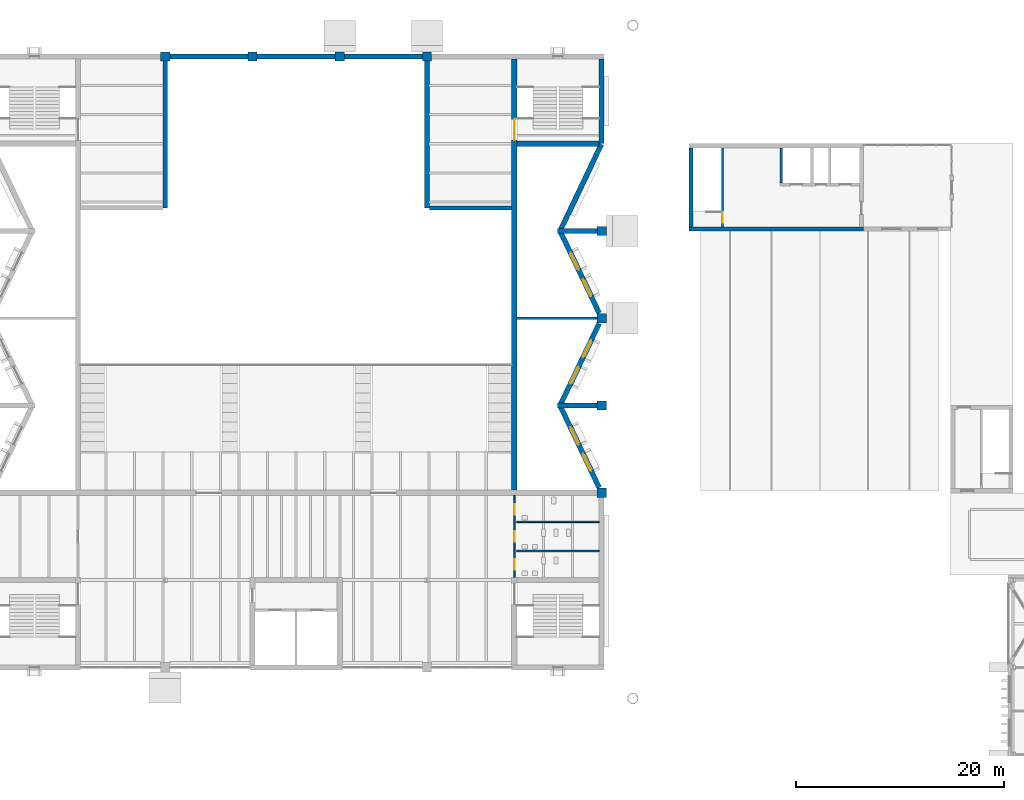
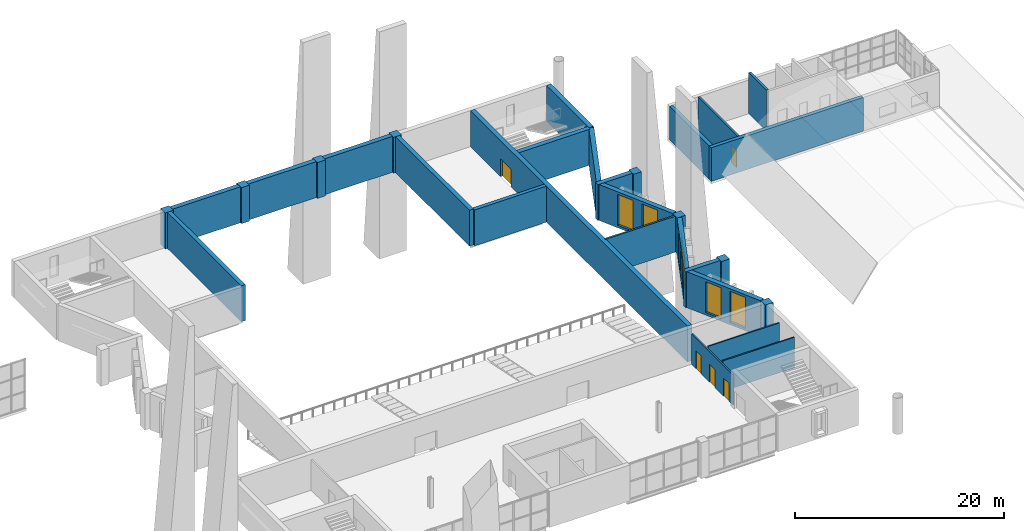
# One storey, part 71 of 100: 31 walls, 6 windows, 5 doors, 11 openings.
"""IFC4 building model written with IfcOpenShell, lengths in metres."""

from ifc_helpers import new_model, si_unit, direction, frame, frame_2d, origin, place, context, subcontext, project, spatial, rectangle, extrude, material, layer, layer_set, type_object, element, fill, save


model = new_model("IFC4")

# Units and contexts
model_context = context("Model", 3, precision=1e-05, world=origin(), true_north=direction((0.0, 1.0)))
body_context = subcontext(model_context, "Body", "Model", "MODEL_VIEW")
ifc_project = project(units=[si_unit("LENGTHUNIT", "METRE"), si_unit("AREAUNIT", "SQUARE_METRE"), si_unit("VOLUMEUNIT", "CUBIC_METRE"), si_unit("PLANEANGLEUNIT", "RADIAN"), si_unit("MASSUNIT", "GRAM", prefix="KILO")], contexts=[model_context])

# Site, building, storey
site_placement = place(None, origin())
site = spatial("IfcSite", under=ifc_project, at=site_placement, CompositionType="ELEMENT")
building_placement = place(site_placement, origin())
building = spatial("IfcBuilding", under=site, at=building_placement, Name="Cresset Court Congress Hotel", CompositionType="ELEMENT")
storey_placement = place(building_placement, frame((0.0, 0.0, 10.199951171875)))
storey = spatial("IfcBuildingStorey", under=building, at=storey_placement, Name="L02", CompositionType="ELEMENT", Elevation=10.199951171875)

# Walls
ifc_material_1 = material(Name="Concrete C50", Category="concrete")
ifc_layer_1 = layer(ifc_material_1, 0.449951171875)
ifc_layer_set_1 = layer_set([ifc_layer_1], Name="Fly-tower wall 450")
wall_type_1 = type_object("IfcWallType", Name="Fly-tower wall 450", PredefinedType="SOLIDWALL", material=ifc_layer_set_1)
for number, where, z_axis, x_axis, name in (
    (1, (75.60009765625, 103.0, 0.0), (0.0, 0.0, 1.0), (0.0, 1.0, 0.0), "Wall CS-1L02"),
    (2, (100.800048828125, 103.0, 0.0), (0.0, 0.0, 1.0), (0.0, 1.0, 0.0), "Wall CS-2L02"),
):
    element("IfcWall", number, at=place(storey_placement, frame(where, z_axis=z_axis, x_axis=x_axis)), inside=storey, type_object=wall_type_1, Name=name, PredefinedType="SOLIDWALL", context=body_context, shape_type="SweptSolid", body=[
        extrude(rectangle(XDim=14.14990234375, YDim=0.449951171875, at=frame_2d((7.074951171875, 0.0))), origin(), (0.0, 0.0, 1.0), 4.199951171875),
    ])
ifc_material_2 = material(Name="Concrete C35", Category="concrete")
ifc_layer_2 = layer(ifc_material_2, 0.199951171875)
ifc_layer_set_2 = layer_set([ifc_layer_2], Name="Gallery cross wall 200")
wall_type_2 = type_object("IfcWallType", Name="Gallery cross wall 200", PredefinedType="PARTITIONING", material=ifc_layer_set_2)
wall_1_placement = place(storey_placement, frame((109.39990234375, 92.39990234375, 0.0), z_axis=(0.0, 0.0, 1.0), x_axis=(1.0, 0.0, 0.0)))
element("IfcWall", 3, at=wall_1_placement, inside=storey, type_object=wall_type_2, Name="Wall CP-galEL02", PredefinedType="PARTITIONING", context=body_context, shape_type="SweptSolid", body=[
    extrude(rectangle(XDim=7.75, YDim=0.199951171875, at=frame_2d((3.875, 0.0))), origin(), (0.0, 0.0, 1.0), 4.199951171875),
])

# Wall, opening, door
ifc_material_3 = material(Name="Concrete C50", Category="concrete")
ifc_layer_3 = layer(ifc_material_3, 0.5)
ifc_layer_set_3 = layer_set([ifc_layer_3], Name="Hall inner wall 500")
wall_type_3 = type_object("IfcWallType", Name="Hall inner wall 500", PredefinedType="SOLIDWALL", material=ifc_layer_set_3)
wall_2_placement = place(storey_placement, frame((109.199951171875, 117.35009765625, 0.0), z_axis=(0.0, 0.0, 1.0), x_axis=(0.0, -1.0, 0.0)))
wall_2 = element("IfcWall", 4, at=wall_2_placement, inside=storey, type_object=wall_type_3, Name="Wall CI-EL02", PredefinedType="SOLIDWALL", context=body_context, shape_type="SweptSolid", body=[
    extrude(rectangle(XDim=41.5, YDim=0.5, at=frame_2d((20.75, 0.0))), origin(), (0.0, 0.0, 1.0), 4.199951171875),
])
opening_1_placement = place(wall_2_placement, frame((5.800048828125, 0.0, 0.0)))
opening_1 = element("IfcOpeningElement", 5, at=opening_1_placement, cuts=wall_2, Name="Opening DC-02-04", PredefinedType="OPENING", context=body_context, shape_type="SweptSolid", body=[
    extrude(rectangle(XDim=2.0, YDim=2.10009765625, at=frame_2d((1.0, 1.050048828125))), frame((0.0, 0.260009765625, 0.0), z_axis=(0.0, -1.0, 0.0), x_axis=(1.0, 0.0, 0.0)), (0.0, 0.0, 1.0), 0.52001953125),
])
ifc_material_4 = material(Name="Timber", Category="wood")
door_type_1 = type_object("IfcDoorType", Name="Double swing door 2000x2100 FD60", OperationType="DOUBLE_DOOR_DOUBLE_SWING", PredefinedType="DOOR", material=ifc_material_4)
door_1_placement = place(opening_1_placement, origin())
door_1 = element("IfcDoor", 6, at=door_1_placement, inside=storey, type_object=door_type_1, Name="Stair door ST-C4 L02", OperationType="DOUBLE_DOOR_DOUBLE_SWING", OverallHeight=2.10009765625, OverallWidth=2.0, PredefinedType="DOOR", context=body_context, shape_type="SweptSolid", body=[
    extrude(rectangle(XDim=2.0, YDim=2.10009765625, at=frame_2d((1.0, 1.050048828125))), frame((0.0, 0.02490234375, 0.0), z_axis=(0.0, -1.0, 0.0), x_axis=(1.0, 0.0, 0.0)), (0.0, 0.0, 1.0), 0.050048828125),
])
fill(opening_1, door_1)

# Wall
wall_3_placement = place(storey_placement, frame((109.449951171875, 109.199951171875, 0.0), z_axis=(0.0, 0.0, 1.0), x_axis=(1.0, 0.0, 0.0)))
element("IfcWall", 7, at=wall_3_placement, inside=storey, type_object=wall_type_3, Name="Wall CC-C4SL02", PredefinedType="SOLIDWALL", context=body_context, shape_type="SweptSolid", body=[
    extrude(rectangle(XDim=7.900146484375, YDim=0.5, at=frame_2d((3.9501953125, 0.0))), origin(), (0.0, 0.0, 1.0), 4.199951171875),
])

# Wall, openings, windows
ifc_material_5 = material(Name="Limestone-faced precast concrete C50", Category="masonry")
ifc_layer_4 = layer(ifc_material_5, 0.5)
ifc_layer_set_4 = layer_set([ifc_layer_4], Name="Hall perimeter wall 500")
wall_type_4 = type_object("IfcWallType", Name="Hall perimeter wall 500", PredefinedType="SOLIDWALL", material=ifc_layer_set_4)
wall_4_placement = place(storey_placement, frame((113.66552734375, 83.862548828125, 0.0), z_axis=(0.0, 0.0, 1.0), x_axis=(0.429922557701, -0.902865767642, 0.0)))
wall_4 = element("IfcWall", 8, at=wall_4_placement, inside=storey, type_object=wall_type_4, Name="Wall CW-EL02-2", PredefinedType="SOLIDWALL", context=body_context, shape_type="SweptSolid", body=[
    extrude(rectangle(XDim=8.59765625, YDim=0.5, at=frame_2d((4.298828125, 0.0))), origin(), (0.0, 0.0, 1.0), 4.199951171875),
])
opening_2_placement = place(wall_4_placement, frame((5.01171875, 0.0, 0.300048828125)))
opening_2 = element("IfcOpeningElement", 9, at=opening_2_placement, cuts=wall_4, Name="Opening NC-02-E0197", PredefinedType="OPENING", context=body_context, shape_type="SweptSolid", body=[
    extrude(rectangle(XDim=1.800048828125, YDim=3.60009765625, at=frame_2d((0.89990234375, 1.800048828125))), frame((0.0, 0.260009765625, 0.0), z_axis=(0.0, -1.0, 0.0), x_axis=(1.0, 0.0, 0.0)), (0.0, 0.0, 1.0), 0.52001953125),
])
opening_3_placement = place(wall_4_placement, frame((2.1875, 0.0, 0.300048828125)))
opening_3 = element("IfcOpeningElement", 10, at=opening_3_placement, cuts=wall_4, Name="Opening NC-02-E0222", PredefinedType="OPENING", context=body_context, shape_type="SweptSolid", body=[
    extrude(rectangle(XDim=1.800048828125, YDim=3.60009765625, at=frame_2d((0.89990234375, 1.800048828125))), frame((0.0, 0.260009765625, 0.0), z_axis=(0.0, -1.0, 0.0), x_axis=(1.0, 0.0, 0.0)), (0.0, 0.0, 1.0), 0.52001953125),
])
ifc_material_6 = material(Name="Aluminium and glass", Category="aluminium")
window_type = type_object("IfcWindowType", Name="Fixed window 1800x3600", PartitioningType="SINGLE_PANEL", PredefinedType="WINDOW", material=ifc_material_6)
window_1_placement = place(opening_2_placement, origin())
window_1 = element("IfcWindow", 11, at=window_1_placement, inside=storey, type_object=window_type, Name="Window NC-02-E0197", OverallHeight=3.60009765625, OverallWidth=1.800048828125, PartitioningType="SINGLE_PANEL", PredefinedType="WINDOW", context=body_context, shape_type="SweptSolid", body=[
    extrude(rectangle(XDim=1.800048828125, YDim=3.60009765625, at=frame_2d((0.89990234375, 1.800048828125))), frame((0.0, 0.030029296875, 0.0), z_axis=(0.0, -1.0, 0.0), x_axis=(1.0, 0.0, 0.0)), (0.0, 0.0, 1.0), 0.06005859375),
])
fill(opening_2, window_1)
window_2_placement = place(opening_3_placement, origin())
window_2 = element("IfcWindow", 12, at=window_2_placement, inside=storey, type_object=window_type, Name="Window NC-02-E0222", OverallHeight=3.60009765625, OverallWidth=1.800048828125, PartitioningType="SINGLE_PANEL", PredefinedType="WINDOW", context=body_context, shape_type="SweptSolid", body=[
    extrude(rectangle(XDim=1.800048828125, YDim=3.60009765625, at=frame_2d((0.89990234375, 1.800048828125))), frame((0.0, 0.030029296875, 0.0), z_axis=(0.0, -1.0, 0.0), x_axis=(1.0, 0.0, 0.0)), (0.0, 0.0, 1.0), 0.06005859375),
])
fill(opening_3, window_2)

wall_5_placement = place(storey_placement, frame((117.36181640625, 91.89990234375, 0.0), z_axis=(0.0, 0.0, 1.0), x_axis=(-0.429922557701, -0.902865767642, 0.0)))
wall_5 = element("IfcWall", 13, at=wall_5_placement, inside=storey, type_object=wall_type_4, Name="Wall CW-EL02-3", PredefinedType="SOLIDWALL", context=body_context, shape_type="SweptSolid", body=[
    extrude(rectangle(XDim=8.59765625, YDim=0.5, at=frame_2d((4.298828125, 0.0))), origin(), (0.0, 0.0, 1.0), 4.199951171875),
])
opening_4_placement = place(wall_5_placement, frame((4.6103515625, 0.0, 0.300048828125)))
opening_4 = element("IfcOpeningElement", 14, at=opening_4_placement, cuts=wall_5, Name="Opening NC-02-E0281", PredefinedType="OPENING", context=body_context, shape_type="SweptSolid", body=[
    extrude(rectangle(XDim=1.800048828125, YDim=3.60009765625, at=frame_2d((0.89990234375, 1.800048828125))), frame((0.0, 0.260009765625, 0.0), z_axis=(0.0, -1.0, 0.0), x_axis=(1.0, 0.0, 0.0)), (0.0, 0.0, 1.0), 0.52001953125),
])
opening_5_placement = place(wall_5_placement, frame((1.785888671875, 0.0, 0.300048828125)))
opening_5 = element("IfcOpeningElement", 15, at=opening_5_placement, cuts=wall_5, Name="Opening NC-02-E0306", PredefinedType="OPENING", context=body_context, shape_type="SweptSolid", body=[
    extrude(rectangle(XDim=1.800048828125, YDim=3.60009765625, at=frame_2d((0.89990234375, 1.800048828125))), frame((0.0, 0.260009765625, 0.0), z_axis=(0.0, -1.0, 0.0), x_axis=(1.0, 0.0, 0.0)), (0.0, 0.0, 1.0), 0.52001953125),
])
window_3_placement = place(opening_4_placement, origin())
window_3 = element("IfcWindow", 16, at=window_3_placement, inside=storey, type_object=window_type, Name="Window NC-02-E0281", OverallHeight=3.60009765625, OverallWidth=1.800048828125, PartitioningType="SINGLE_PANEL", PredefinedType="WINDOW", context=body_context, shape_type="SweptSolid", body=[
    extrude(rectangle(XDim=1.800048828125, YDim=3.60009765625, at=frame_2d((0.89990234375, 1.800048828125))), frame((0.0, 0.030029296875, 0.0), z_axis=(0.0, -1.0, 0.0), x_axis=(1.0, 0.0, 0.0)), (0.0, 0.0, 1.0), 0.06005859375),
])
fill(opening_4, window_3)
window_4_placement = place(opening_5_placement, origin())
window_4 = element("IfcWindow", 17, at=window_4_placement, inside=storey, type_object=window_type, Name="Window NC-02-E0306", OverallHeight=3.60009765625, OverallWidth=1.800048828125, PartitioningType="SINGLE_PANEL", PredefinedType="WINDOW", context=body_context, shape_type="SweptSolid", body=[
    extrude(rectangle(XDim=1.800048828125, YDim=3.60009765625, at=frame_2d((0.89990234375, 1.800048828125))), frame((0.0, 0.030029296875, 0.0), z_axis=(0.0, -1.0, 0.0), x_axis=(1.0, 0.0, 0.0)), (0.0, 0.0, 1.0), 0.06005859375),
])
fill(opening_5, window_4)

wall_6_placement = place(storey_placement, frame((113.66552734375, 100.66259765625, 0.0), z_axis=(0.0, 0.0, 1.0), x_axis=(0.429911535511, -0.902871016057, 0.0)))
wall_6 = element("IfcWall", 18, at=wall_6_placement, inside=storey, type_object=wall_type_4, Name="Wall CW-EL02-4", PredefinedType="SOLIDWALL", context=body_context, shape_type="SweptSolid", body=[
    extrude(rectangle(XDim=8.597900390625, YDim=0.5, at=frame_2d((4.298828125, 0.0))), origin(), (0.0, 0.0, 1.0), 4.199951171875),
])
opening_6_placement = place(wall_6_placement, frame((5.01171875, 0.0, 0.300048828125)))
opening_6 = element("IfcOpeningElement", 19, at=opening_6_placement, cuts=wall_6, Name="Opening NC-02-E0365", PredefinedType="OPENING", context=body_context, shape_type="SweptSolid", body=[
    extrude(rectangle(XDim=1.800048828125, YDim=3.60009765625, at=frame_2d((0.89990234375, 1.800048828125))), frame((0.0, 0.260009765625, 0.0), z_axis=(0.0, -1.0, 0.0), x_axis=(1.0, 0.0, 0.0)), (0.0, 0.0, 1.0), 0.52001953125),
])
opening_7_placement = place(wall_6_placement, frame((2.1875, 0.0, 0.300048828125)))
opening_7 = element("IfcOpeningElement", 20, at=opening_7_placement, cuts=wall_6, Name="Opening NC-02-E0390", PredefinedType="OPENING", context=body_context, shape_type="SweptSolid", body=[
    extrude(rectangle(XDim=1.800048828125, YDim=3.60009765625, at=frame_2d((0.89990234375, 1.800048828125))), frame((0.0, 0.260009765625, 0.0), z_axis=(0.0, -1.0, 0.0), x_axis=(1.0, 0.0, 0.0)), (0.0, 0.0, 1.0), 0.52001953125),
])
window_5_placement = place(opening_6_placement, origin())
window_5 = element("IfcWindow", 21, at=window_5_placement, inside=storey, type_object=window_type, Name="Window NC-02-E0365", OverallHeight=3.60009765625, OverallWidth=1.800048828125, PartitioningType="SINGLE_PANEL", PredefinedType="WINDOW", context=body_context, shape_type="SweptSolid", body=[
    extrude(rectangle(XDim=1.800048828125, YDim=3.60009765625, at=frame_2d((0.89990234375, 1.800048828125))), frame((0.0, 0.030029296875, 0.0), z_axis=(0.0, -1.0, 0.0), x_axis=(1.0, 0.0, 0.0)), (0.0, 0.0, 1.0), 0.06005859375),
])
fill(opening_6, window_5)
window_6_placement = place(opening_7_placement, origin())
window_6 = element("IfcWindow", 22, at=window_6_placement, inside=storey, type_object=window_type, Name="Window NC-02-E0390", OverallHeight=3.60009765625, OverallWidth=1.800048828125, PartitioningType="SINGLE_PANEL", PredefinedType="WINDOW", context=body_context, shape_type="SweptSolid", body=[
    extrude(rectangle(XDim=1.800048828125, YDim=3.60009765625, at=frame_2d((0.89990234375, 1.800048828125))), frame((0.0, 0.030029296875, 0.0), z_axis=(0.0, -1.0, 0.0), x_axis=(1.0, 0.0, 0.0)), (0.0, 0.0, 1.0), 0.06005859375),
])
fill(opening_7, window_6)

# Walls
wall_7_placement = place(storey_placement, frame((117.576171875, 109.14990234375, 0.0), z_axis=(0.0, 0.0, 1.0), x_axis=(-0.429931496654, -0.902861511077, 0.0)))
element("IfcWall", 23, at=wall_7_placement, inside=storey, type_object=wall_type_4, Name="Wall CW-EL02-5.1", PredefinedType="SOLIDWALL", context=body_context, shape_type="SweptSolid", body=[
    extrude(rectangle(XDim=9.095947265625, YDim=0.5, at=frame_2d((4.5478515625, 0.0))), origin(), (0.0, 0.0, 1.0), 4.199951171875),
])
wall_8_placement = place(storey_placement, frame((117.60009765625, 117.35009765625, 0.0), z_axis=(0.0, 0.0, 1.0), x_axis=(0.0, -1.0, 0.0)))
element("IfcWall", 24, at=wall_8_placement, inside=storey, type_object=wall_type_4, Name="Wall CW-EL02-5.2", PredefinedType="SOLIDWALL", context=body_context, shape_type="SweptSolid", body=[
    extrude(rectangle(XDim=8.150146484375, YDim=0.5, at=frame_2d((4.0751953125, 0.0))), origin(), (0.0, 0.0, 1.0), 4.199951171875),
])
for number, where, z_axis, x_axis, name in (
    (25, (113.35009765625, 84.0, 0.0), (0.0, 0.0, 1.0), (1.0, 0.0, 0.0), "Wall CW-EL02-R1"),
    (26, (113.35009765625, 100.800048828125, 0.0), (0.0, 0.0, 1.0), (1.0, 0.0, 0.0), "Wall CW-EL02-R2"),
):
    element("IfcWall", number, at=place(storey_placement, frame(where, z_axis=z_axis, x_axis=x_axis)), inside=storey, type_object=wall_type_4, Name=name, PredefinedType="SOLIDWALL", context=body_context, shape_type="SweptSolid", body=[
        extrude(rectangle(XDim=3.7998046875, YDim=0.5, at=frame_2d((1.89990234375, 0.0))), origin(), (0.0, 0.0, 1.0), 4.199951171875),
    ])
for number, where, z_axis, x_axis, name in (
    (27, (92.85009765625, 117.60009765625, 0.0), (0.0, 0.0, 1.0), (1.0, 0.0, 0.0), "Wall CW-NL02-2"),
    (28, (84.449951171875, 117.60009765625, 0.0), (0.0, 0.0, 1.0), (1.0, 0.0, 0.0), "Wall CW-NL02-3"),
    (29, (76.050048828125, 117.60009765625, 0.0), (0.0, 0.0, 1.0), (1.0, 0.0, 0.0), "Wall CW-NL02-4"),
):
    element("IfcWall", number, at=place(storey_placement, frame(where, z_axis=z_axis, x_axis=x_axis)), inside=storey, type_object=wall_type_4, Name=name, PredefinedType="SOLIDWALL", context=body_context, shape_type="SweptSolid", body=[
        extrude(rectangle(XDim=7.5, YDim=0.5, at=frame_2d((3.75, 0.0))), origin(), (0.0, 0.0, 1.0), 4.199951171875),
    ])
ifc_material_7 = material(Name="Concrete C50", Category="concrete")
ifc_layer_5 = layer(ifc_material_7, 0.89990234375)
ifc_layer_set_5 = layer_set([ifc_layer_5], Name="Hall pilaster 900x900")
wall_type_5 = type_object("IfcWallType", Name="Hall pilaster 900x900", PredefinedType="SOLIDWALL", material=ifc_layer_set_5)
wall_9_placement = place(storey_placement, frame((117.60009765625, 75.14990234375, 0.0), z_axis=(0.0, 0.0, 1.0), x_axis=(0.0, 1.0, 0.0)))
element("IfcWall", 30, at=wall_9_placement, inside=storey, type_object=wall_type_5, Name="Pilaster P-E1", PredefinedType="SOLIDWALL", context=body_context, shape_type="SweptSolid", body=[
    extrude(rectangle(XDim=0.900146484375, YDim=0.89990234375, at=frame_2d((0.4501953125, 0.0))), origin(), (0.0, 0.0, 1.0), 4.199951171875),
])
wall_10_placement = place(storey_placement, frame((117.60009765625, 83.550048828125, 0.0), z_axis=(0.0, 0.0, 1.0), x_axis=(0.0, 1.0, 0.0)))
element("IfcWall", 31, at=wall_10_placement, inside=storey, type_object=wall_type_5, Name="Pilaster P-E2", PredefinedType="SOLIDWALL", context=body_context, shape_type="SweptSolid", body=[
    extrude(rectangle(XDim=0.89990234375, YDim=0.89990234375, at=frame_2d((0.449951171875, 0.0))), origin(), (0.0, 0.0, 1.0), 4.199951171875),
])
wall_11_placement = place(storey_placement, frame((117.60009765625, 91.949951171875, 0.0), z_axis=(0.0, 0.0, 1.0), x_axis=(0.0, 1.0, 0.0)))
element("IfcWall", 32, at=wall_11_placement, inside=storey, type_object=wall_type_5, Name="Pilaster P-E3", PredefinedType="SOLIDWALL", context=body_context, shape_type="SweptSolid", body=[
    extrude(rectangle(XDim=0.900146484375, YDim=0.89990234375, at=frame_2d((0.4501953125, 0.0))), origin(), (0.0, 0.0, 1.0), 4.199951171875),
])
for number, where, z_axis, x_axis, name in (
    (33, (117.60009765625, 100.35009765625, 0.0), (0.0, 0.0, 1.0), (0.0, 1.0, 0.0), "Pilaster P-E4"),
    (34, (101.25, 117.60009765625, 0.0), (0.0, 0.0, 1.0), (-1.0, 0.0, 0.0), "Pilaster P-N1"),
):
    element("IfcWall", number, at=place(storey_placement, frame(where, z_axis=z_axis, x_axis=x_axis)), inside=storey, type_object=wall_type_5, Name=name, PredefinedType="SOLIDWALL", context=body_context, shape_type="SweptSolid", body=[
        extrude(rectangle(XDim=0.89990234375, YDim=0.89990234375, at=frame_2d((0.449951171875, 0.0))), origin(), (0.0, 0.0, 1.0), 4.199951171875),
    ])
wall_12_placement = place(storey_placement, frame((92.85009765625, 117.60009765625, 0.0), z_axis=(0.0, 0.0, 1.0), x_axis=(-1.0, 0.0, 0.0)))
element("IfcWall", 35, at=wall_12_placement, inside=storey, type_object=wall_type_5, Name="Pilaster P-N2", PredefinedType="SOLIDWALL", context=body_context, shape_type="SweptSolid", body=[
    extrude(rectangle(XDim=0.900146484375, YDim=0.89990234375, at=frame_2d((0.4501953125, 0.0))), origin(), (0.0, 0.0, 1.0), 4.199951171875),
])
wall_13_placement = place(storey_placement, frame((84.449951171875, 117.60009765625, 0.0), z_axis=(0.0, 0.0, 1.0), x_axis=(-1.0, 0.0, 0.0)))
element("IfcWall", 36, at=wall_13_placement, inside=storey, type_object=wall_type_5, Name="Pilaster P-N3", PredefinedType="SOLIDWALL", context=body_context, shape_type="SweptSolid", body=[
    extrude(rectangle(XDim=0.89990234375, YDim=0.89990234375, at=frame_2d((0.449951171875, 0.0))), origin(), (0.0, 0.0, 1.0), 4.199951171875),
])
wall_14_placement = place(storey_placement, frame((76.050048828125, 117.60009765625, 0.0), z_axis=(0.0, 0.0, 1.0), x_axis=(-1.0, 0.0, 0.0)))
element("IfcWall", 37, at=wall_14_placement, inside=storey, type_object=wall_type_5, Name="Pilaster P-N4", PredefinedType="SOLIDWALL", context=body_context, shape_type="SweptSolid", body=[
    extrude(rectangle(XDim=0.900146484375, YDim=0.89990234375, at=frame_2d((0.4501953125, 0.0))), origin(), (0.0, 0.0, 1.0), 4.199951171875),
])

# Wall, openings, doors
ifc_material_8 = material(Name="Gypsum board on steel studs", Category="steel")
ifc_layer_6 = layer(ifc_material_8, 0.14990234375)
ifc_layer_set_6 = layer_set([ifc_layer_6], Name="Hall room partition 150")
wall_type_6 = type_object("IfcWallType", Name="Hall room partition 150", PredefinedType="PARTITIONING", material=ifc_layer_set_6)
wall_15_placement = place(storey_placement, frame((109.199951171875, 67.449951171875, 0.0), z_axis=(0.0, 0.0, 1.0), x_axis=(0.0, 1.0, 0.0)))
wall_15 = element("IfcWall", 38, at=wall_15_placement, inside=storey, type_object=wall_type_6, Name="Wall CP-wc.L02", PredefinedType="PARTITIONING", context=body_context, shape_type="SweptSolid", body=[
    extrude(rectangle(XDim=7.900146484375, YDim=0.14990234375, at=frame_2d((3.9501953125, 0.0))), origin(), (0.0, 0.0, 1.0), 3.550048828125),
])
opening_8_placement = place(wall_15_placement, frame((0.75, 0.0, 0.0)))
opening_8 = element("IfcOpeningElement", 39, at=opening_8_placement, cuts=wall_15, Name="Opening DC-02-11", PredefinedType="OPENING", context=body_context, shape_type="SweptSolid", body=[
    extrude(rectangle(XDim=1.0, YDim=2.10009765625, at=frame_2d((0.5, 1.050048828125))), frame((0.0, 0.0849609375, 0.0), z_axis=(0.0, -1.0, 0.0), x_axis=(1.0, 0.0, 0.0)), (0.0, 0.0, 1.0), 0.169921875),
])
opening_9_placement = place(wall_15_placement, frame((3.449951171875, 0.0, 0.0)))
opening_9 = element("IfcOpeningElement", 40, at=opening_9_placement, cuts=wall_15, Name="Opening DC-02-12", PredefinedType="OPENING", context=body_context, shape_type="SweptSolid", body=[
    extrude(rectangle(XDim=1.0, YDim=2.10009765625, at=frame_2d((0.5, 1.050048828125))), frame((0.0, 0.0849609375, 0.0), z_axis=(0.0, -1.0, 0.0), x_axis=(1.0, 0.0, 0.0)), (0.0, 0.0, 1.0), 0.169921875),
])
opening_10_placement = place(wall_15_placement, frame((6.050048828125, 0.0, 0.0)))
opening_10 = element("IfcOpeningElement", 41, at=opening_10_placement, cuts=wall_15, Name="Opening DC-02-13", PredefinedType="OPENING", context=body_context, shape_type="SweptSolid", body=[
    extrude(rectangle(XDim=1.0, YDim=2.10009765625, at=frame_2d((0.5, 1.050048828125))), frame((0.0, 0.0849609375, 0.0), z_axis=(0.0, -1.0, 0.0), x_axis=(1.0, 0.0, 0.0)), (0.0, 0.0, 1.0), 0.169921875),
])
ifc_material_9 = material(Name="Timber", Category="wood")
door_type_2 = type_object("IfcDoorType", Name="Single swing door 1000x2100", OperationType="SINGLE_SWING_LEFT", PredefinedType="DOOR", material=ifc_material_9)
door_2_placement = place(opening_8_placement, origin())
door_2 = element("IfcDoor", 42, at=door_2_placement, inside=storey, type_object=door_type_2, Name="Men's WC door", OperationType="SINGLE_SWING_LEFT", OverallHeight=2.10009765625, OverallWidth=1.0, PredefinedType="DOOR", context=body_context, shape_type="SweptSolid", body=[
    extrude(rectangle(XDim=1.0, YDim=2.10009765625, at=frame_2d((0.5, 1.050048828125))), frame((0.0, 0.02490234375, 0.0), z_axis=(0.0, -1.0, 0.0), x_axis=(1.0, 0.0, 0.0)), (0.0, 0.0, 1.0), 0.050048828125),
])
fill(opening_8, door_2)
door_3_placement = place(opening_9_placement, origin())
door_3 = element("IfcDoor", 43, at=door_3_placement, inside=storey, type_object=door_type_2, Name="Women's WC door", OperationType="SINGLE_SWING_LEFT", OverallHeight=2.10009765625, OverallWidth=1.0, PredefinedType="DOOR", context=body_context, shape_type="SweptSolid", body=[
    extrude(rectangle(XDim=1.0, YDim=2.10009765625, at=frame_2d((0.5, 1.050048828125))), frame((0.0, 0.02490234375, 0.0), z_axis=(0.0, -1.0, 0.0), x_axis=(1.0, 0.0, 0.0)), (0.0, 0.0, 1.0), 0.050048828125),
])
fill(opening_9, door_3)
door_4_placement = place(opening_10_placement, origin())
door_4 = element("IfcDoor", 44, at=door_4_placement, inside=storey, type_object=door_type_2, Name="Accessible WC door", OperationType="SINGLE_SWING_LEFT", OverallHeight=2.10009765625, OverallWidth=1.0, PredefinedType="DOOR", context=body_context, shape_type="SweptSolid", body=[
    extrude(rectangle(XDim=1.0, YDim=2.10009765625, at=frame_2d((0.5, 1.050048828125))), frame((0.0, 0.02490234375, 0.0), z_axis=(0.0, -1.0, 0.0), x_axis=(1.0, 0.0, 0.0)), (0.0, 0.0, 1.0), 0.050048828125),
])
fill(opening_10, door_4)

# Walls
for number, where, z_axis, x_axis, name in (
    (45, (109.449951171875, 70.0, 0.0), (0.0, 0.0, 1.0), (1.0, 0.0, 0.0), "Wall CP-wc1.L02"),
    (46, (109.449951171875, 72.800048828125, 0.0), (0.0, 0.0, 1.0), (1.0, 0.0, 0.0), "Wall CP-wc2.L02"),
):
    element("IfcWall", number, at=place(storey_placement, frame(where, z_axis=z_axis, x_axis=x_axis)), inside=storey, type_object=wall_type_6, Name=name, PredefinedType="PARTITIONING", context=body_context, shape_type="SweptSolid", body=[
        extrude(rectangle(XDim=7.900146484375, YDim=0.14990234375, at=frame_2d((3.9501953125, 0.0))), origin(), (0.0, 0.0, 1.0), 3.550048828125),
    ])
ifc_material_10 = material(Name="Concrete C50", Category="concrete")
ifc_layer_7 = layer(ifc_material_10, 0.39990234375)
ifc_layer_set_7 = layer_set([ifc_layer_7], Name="Hall stage wall 400")
wall_type_7 = type_object("IfcWallType", Name="Hall stage wall 400", PredefinedType="SOLIDWALL", material=ifc_layer_set_7)
wall_16_placement = place(storey_placement, frame((101.02490234375, 103.0, 0.0), z_axis=(0.0, 0.0, 1.0), x_axis=(1.0, 0.0, 0.0)))
element("IfcWall", 47, at=wall_16_placement, inside=storey, type_object=wall_type_7, Name="Wall CW-2L02", PredefinedType="SOLIDWALL", context=body_context, shape_type="SweptSolid", body=[
    extrude(rectangle(XDim=7.925048828125, YDim=0.39990234375, at=frame_2d((3.96240234375, 0.0))), origin(), (0.0, 0.0, 1.0), 4.199951171875),
])
ifc_material_11 = material(Name="Concrete C50", Category="concrete")
ifc_layer_8 = layer(ifc_material_11, 0.39990234375)
ifc_layer_set_8 = layer_set([ifc_layer_8], Name="RC core wall 400 C50")
wall_type_8 = type_object("IfcWallType", Name="RC core wall 400 C50", PredefinedType="SOLIDWALL", material=ifc_layer_set_8)
wall_17_placement = place(storey_placement, frame((126.0, 101.0, 0.0), z_axis=(0.0, 0.0, 1.0), x_axis=(1.0, 0.0, 0.0)))
element("IfcWall", 48, at=wall_17_placement, inside=storey, type_object=wall_type_8, Name="Core south wall", PredefinedType="SOLIDWALL", context=body_context, shape_type="SweptSolid", body=[
    extrude(rectangle(XDim=16.800048828125, YDim=0.39990234375, at=frame_2d((8.39990234375, 0.0))), origin(), (0.0, 0.0, 1.0), 3.920166015625),
])
ifc_material_12 = material(Name="Concrete C50", Category="concrete")
ifc_layer_9 = layer(ifc_material_12, 0.39990234375)
ifc_layer_set_9 = layer_set([ifc_layer_9], Name="RC core wall 400 C50 external")
wall_type_9 = type_object("IfcWallType", Name="RC core wall 400 C50 external", PredefinedType="SOLIDWALL", material=ifc_layer_set_9)
wall_18_placement = place(storey_placement, frame((126.199951171875, 101.199951171875, 0.0), z_axis=(0.0, 0.0, 1.0), x_axis=(0.0, 1.0, 0.0)))
element("IfcWall", 49, at=wall_18_placement, inside=storey, type_object=wall_type_9, Name="Core west wall", PredefinedType="SOLIDWALL", context=body_context, shape_type="SweptSolid", body=[
    extrude(rectangle(XDim=7.60009765625, YDim=0.39990234375, at=frame_2d((3.800048828125, 0.0))), origin(), (0.0, 0.0, 1.0), 3.920166015625),
])
ifc_material_13 = material(Name="Concrete C50", Category="concrete")
ifc_layer_10 = layer(ifc_material_13, 0.25)
ifc_layer_set_10 = layer_set([ifc_layer_10], Name="RC lift shaft wall 250 C50")
wall_type_10 = type_object("IfcWallType", Name="RC lift shaft wall 250 C50", PredefinedType="SOLIDWALL", material=ifc_layer_set_10)
wall_19_placement = place(storey_placement, frame((134.875, 105.39990234375, 0.0), z_axis=(0.0, 0.0, 1.0), x_axis=(0.0, 1.0, 0.0)))
element("IfcWall", 50, at=wall_19_placement, inside=storey, type_object=wall_type_10, Name="Lift shaft west wall", PredefinedType="SOLIDWALL", context=body_context, shape_type="SweptSolid", body=[
    extrude(rectangle(XDim=3.400146484375, YDim=0.25, at=frame_2d((1.7001953125, 0.0))), origin(), (0.0, 0.0, 1.0), 4.800048828125),
])

# Wall, opening, door
ifc_material_14 = material(Name="Concrete C40", Category="concrete")
ifc_layer_11 = layer(ifc_material_14, 0.199951171875)
ifc_layer_set_11 = layer_set([ifc_layer_11], Name="RC stair enclosure wall 200 C40")
wall_type_11 = type_object("IfcWallType", Name="RC stair enclosure wall 200 C40", PredefinedType="SOLIDWALL", material=ifc_layer_set_11)
wall_20_placement = place(storey_placement, frame((129.25, 101.199951171875, 0.0), z_axis=(0.0, 0.0, 1.0), x_axis=(0.0, 1.0, 0.0)))
wall_20 = element("IfcWall", 51, at=wall_20_placement, inside=storey, type_object=wall_type_11, Name="ST-E1 stair enclosure wall", PredefinedType="SOLIDWALL", context=body_context, shape_type="SweptSolid", body=[
    extrude(rectangle(XDim=7.60009765625, YDim=0.199951171875, at=frame_2d((3.800048828125, 0.0))), origin(), (0.0, 0.0, 1.0), 3.920166015625),
])
opening_11_placement = place(wall_20_placement, frame((0.39990234375, 0.0, 0.0)))
opening_11 = element("IfcOpeningElement", 52, at=opening_11_placement, cuts=wall_20, Name="Opening DE-02-05", PredefinedType="OPENING", context=body_context, shape_type="SweptSolid", body=[
    extrude(rectangle(XDim=1.0, YDim=2.10009765625, at=frame_2d((0.5, 1.050048828125))), frame((0.0, 0.10986328125, 0.0), z_axis=(0.0, -1.0, 0.0), x_axis=(1.0, 0.0, 0.0)), (0.0, 0.0, 1.0), 0.219970703125),
])
ifc_material_15 = material(Name="Timber door leaf", Category="wood")
door_type_3 = type_object("IfcDoorType", Name="Stair door 1000x2100", OperationType="SINGLE_SWING_LEFT", PredefinedType="DOOR", material=ifc_material_15)
door_5_placement = place(opening_11_placement, origin())
door_5 = element("IfcDoor", 53, at=door_5_placement, inside=storey, type_object=door_type_3, Name="Stair door DE-02-05", OperationType="SINGLE_SWING_LEFT", OverallHeight=2.10009765625, OverallWidth=1.0, PredefinedType="DOOR", context=body_context, shape_type="SweptSolid", body=[
    extrude(rectangle(XDim=1.0, YDim=2.10009765625, at=frame_2d((0.5, 1.050048828125))), frame((0.0, 0.02490234375, 0.0), z_axis=(0.0, -1.0, 0.0), x_axis=(1.0, 0.0, 0.0)), (0.0, 0.0, 1.0), 0.050048828125),
])
fill(opening_11, door_5)

save(model, "model.ifc")
